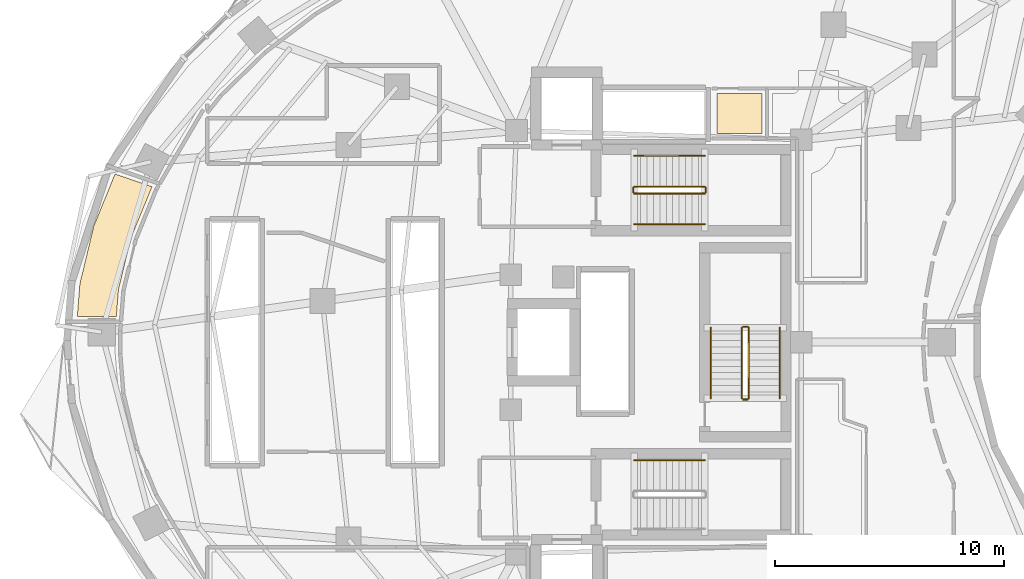
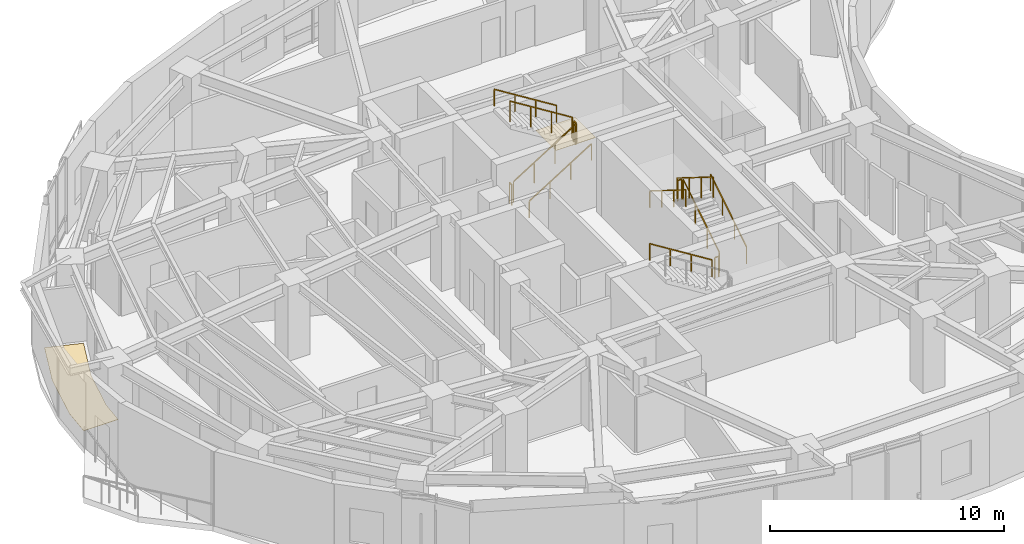
# One storey, part 12 of 13: 13 railings, 2 coverings.
"""IFC4 building model written with IfcOpenShell, lengths in metres."""

from ifc_helpers import new_model, si_unit, direction, frame, origin, origin_2d, place, context, subcontext, project, spatial, polyline, rectangle, outline, extrude, material, layer, layer_set, type_object, element, save


model = new_model("IFC4")

# Units and contexts
model_context = context("Model", 3, precision=1e-05, world=origin(), true_north=direction((0.0, 1.0)))
body_context = subcontext(model_context, "Body", "Model", "MODEL_VIEW")
ifc_project = project(units=[si_unit("LENGTHUNIT", "METRE"), si_unit("AREAUNIT", "SQUARE_METRE"), si_unit("VOLUMEUNIT", "CUBIC_METRE"), si_unit("PLANEANGLEUNIT", "RADIAN"), si_unit("MASSUNIT", "GRAM", prefix="KILO")], contexts=[model_context])

# Site, building, storey
site_placement = place(None, origin())
site = spatial("IfcSite", under=ifc_project, at=site_placement, CompositionType="ELEMENT")
building_placement = place(site_placement, origin())
building = spatial("IfcBuilding", under=site, at=building_placement, Name="Korentha Bioscience Tower", CompositionType="ELEMENT")
storey_placement = place(building_placement, frame((0.0, 0.0, 123.60009765625)))
storey = spatial("IfcBuildingStorey", under=building, at=storey_placement, Name="L28", CompositionType="ELEMENT", Elevation=123.60009765625)

# Covering
ifc_material_1 = material(Name="Vitrified Porcelain Tile", Category="ceramic")
ifc_layer_1 = layer(ifc_material_1, 0.014892578125, Name="Vitrified Porcelain Tile")
ifc_layer_set_1 = layer_set([ifc_layer_1], Name="Vitrified Porcelain Tile (FL-CER)")
covering_type_1 = type_object("IfcCoveringType", Name="Anti-Slip Ceramic Wet-Room Tile Flooring 15", PredefinedType="FLOORING", material=ifc_layer_set_1)
covering_1_placement = place(storey_placement, origin())
element("IfcCovering", 1, at=covering_1_placement, inside=storey, type_object=covering_type_1, Name="L28 Accessible Staff WC Floor Finish", PredefinedType="FLOORING", context=body_context, shape_type="SweptSolid", body=[
    extrude(outline(polyline([(33.8701171875, 36.1298828125), (33.8701171875, 37.8701171875), (35.830078125, 37.8701171875), (35.830078125, 36.1298828125), (33.8701171875, 36.1298828125)])), origin(), (0.0, 0.0, 1.0), 0.014892578125),
])

# Railings
ifc_material_2 = material(Name="Stainless Steel 304", Category="steel")
railing_type_1 = type_object("IfcRailingType", Name="Brushed Stainless Stair Handrail 900", PredefinedType="HANDRAIL", material=ifc_material_2)
railing_1_placement = place(storey_placement, frame((30.25, 32.14990234375, 0.1748046875)))
element("IfcRailing", 2, at=railing_1_placement, inside=storey, type_object=railing_type_1, Name="L28 ST-1 stair handrail 1", PredefinedType="HANDRAIL", context=body_context, shape_type="SweptSolid", body=[
    extrude(rectangle(XDim=0.048095703125, YDim=0.048095703125, at=origin_2d()), frame((0.0, 0.0, 0.8759765625), z_axis=(0.847998304005, 0.0, 0.529998940003), x_axis=(0.0, 1.0, 0.0)), (0.0, 0.0, 1.0), 3.632080078125),
    extrude(rectangle(XDim=0.0419921875, YDim=0.0419921875, at=origin_2d()), origin(), (0.0, 0.0, 1.0), 0.851806640625),
    extrude(rectangle(XDim=0.0419921875, YDim=0.0419921875, at=origin_2d()), frame((1.026611328125, 0.0, 0.6416015625)), (0.0, 0.0, 1.0), 0.851806640625),
    extrude(rectangle(XDim=0.0419921875, YDim=0.0419921875, at=origin_2d()), frame((2.053466796875, 0.0, 1.283447265625)), (0.0, 0.0, 1.0), 0.851806640625),
    extrude(rectangle(XDim=0.0419921875, YDim=0.0419921875, at=origin_2d()), frame((3.080078125, 0.0, 1.925048828125)), (0.0, 0.0, 1.0), 0.851806640625),
])
for number, where, name in (
    (3, (33.330078125, 35.14990234375, 2.27490234375), "L28 ST-1 stair handrail 2"),
    (4, (33.330078125, 21.85009765625, 2.27490234375), "L28 ST-2 stair handrail 2"),
):
    element("IfcRailing", number, at=place(storey_placement, frame(where)), inside=storey, type_object=railing_type_1, Name=name, PredefinedType="HANDRAIL", context=body_context, shape_type="SweptSolid", body=[
        extrude(rectangle(XDim=0.048095703125, YDim=0.048095703125, at=origin_2d()), frame((0.0, 0.0, 0.8759765625), z_axis=(-0.847998304005, 0.0, 0.529998940003), x_axis=(0.0, -1.0, 0.0)), (0.0, 0.0, 1.0), 3.632080078125),
        extrude(rectangle(XDim=0.0419921875, YDim=0.0419921875, at=origin_2d()), origin(), (0.0, 0.0, 1.0), 0.851806640625),
        extrude(rectangle(XDim=0.0419921875, YDim=0.0419921875, at=origin_2d()), frame((-1.026611328125, 0.0, 0.6416015625)), (0.0, 0.0, 1.0), 0.851806640625),
        extrude(rectangle(XDim=0.0419921875, YDim=0.0419921875, at=origin_2d()), frame((-2.053466796875, 0.0, 1.283447265625)), (0.0, 0.0, 1.0), 0.851806640625),
        extrude(rectangle(XDim=0.0419921875, YDim=0.0419921875, at=origin_2d()), frame((-3.080078125, 0.0, 1.925048828125)), (0.0, 0.0, 1.0), 0.851806640625),
    ])
railing_2_placement = place(storey_placement, frame((36.60009765625, 24.550048828125, 0.1748046875)))
element("IfcRailing", 5, at=railing_2_placement, inside=storey, type_object=railing_type_1, Name="L28 ST-3 stair handrail 1", PredefinedType="HANDRAIL", context=body_context, shape_type="SweptSolid", body=[
    extrude(rectangle(XDim=0.048095703125, YDim=0.048095703125, at=origin_2d()), frame((0.0, 0.0, 0.8759765625), z_axis=(0.0, 0.847979421464, 0.530029150871), x_axis=(-1.0, 0.0, 0.0)), (0.0, 0.0, 1.0), 3.632080078125),
    extrude(rectangle(XDim=0.0419921875, YDim=0.0419921875, at=origin_2d()), origin(), (0.0, 0.0, 1.0), 0.851806640625),
    extrude(rectangle(XDim=0.0419921875, YDim=0.0419921875, at=origin_2d()), frame((0.0, 1.026611328125, 0.6416015625)), (0.0, 0.0, 1.0), 0.851806640625),
    extrude(rectangle(XDim=0.0419921875, YDim=0.0419921875, at=origin_2d()), frame((0.0, 2.05322265625, 1.283447265625)), (0.0, 0.0, 1.0), 0.851806640625),
    extrude(rectangle(XDim=0.0419921875, YDim=0.0419921875, at=origin_2d()), frame((0.0, 3.079833984375, 1.925048828125)), (0.0, 0.0, 1.0), 0.851806640625),
])
railing_3_placement = place(storey_placement, frame((33.60009765625, 27.6298828125, 2.27490234375)))
element("IfcRailing", 6, at=railing_3_placement, inside=storey, type_object=railing_type_1, Name="L28 ST-3 stair handrail 2", PredefinedType="HANDRAIL", context=body_context, shape_type="SweptSolid", body=[
    extrude(rectangle(XDim=0.048095703125, YDim=0.048095703125, at=origin_2d()), frame((0.0, 0.0, 0.8759765625), z_axis=(0.0, -0.847979421464, 0.530029150871), x_axis=(1.0, 0.0, 0.0)), (0.0, 0.0, 1.0), 3.632080078125),
    extrude(rectangle(XDim=0.0419921875, YDim=0.0419921875, at=origin_2d()), origin(), (0.0, 0.0, 1.0), 0.851806640625),
    extrude(rectangle(XDim=0.0419921875, YDim=0.0419921875, at=origin_2d()), frame((0.0, -1.026611328125, 0.6416015625)), (0.0, 0.0, 1.0), 0.851806640625),
    extrude(rectangle(XDim=0.0419921875, YDim=0.0419921875, at=origin_2d()), frame((0.0, -2.05322265625, 1.283447265625)), (0.0, 0.0, 1.0), 0.851806640625),
    extrude(rectangle(XDim=0.0419921875, YDim=0.0419921875, at=origin_2d()), frame((0.0, -3.079833984375, 1.925048828125)), (0.0, 0.0, 1.0), 0.851806640625),
])
ifc_material_3 = material(Name="Painted Steel S275", Category="steel")
railing_type_2 = type_object("IfcRailingType", Name="Painted Steel Stair Well Guardrail 1100", PredefinedType="GUARDRAIL", material=ifc_material_3)
railing_4_placement = place(storey_placement, frame((30.25, 33.5, 0.1748046875)))
element("IfcRailing", 7, at=railing_4_placement, inside=storey, type_object=railing_type_2, Name="L28 ST-1 stair guard 1", PredefinedType="GUARDRAIL", context=body_context, shape_type="SweptSolid", body=[
    extrude(rectangle(XDim=0.048095703125, YDim=0.048095703125, at=origin_2d()), frame((0.0, 0.0, 1.076171875), z_axis=(0.847998304005, 0.0, 0.529998940003), x_axis=(0.0, 1.0, 0.0)), (0.0, 0.0, 1.0), 3.632080078125),
    extrude(rectangle(XDim=0.0419921875, YDim=0.0419921875, at=origin_2d()), origin(), (0.0, 0.0, 1.0), 1.052001953125),
    extrude(rectangle(XDim=0.0419921875, YDim=0.0419921875, at=origin_2d()), frame((1.026611328125, 0.0, 0.6416015625)), (0.0, 0.0, 1.0), 1.052001953125),
    extrude(rectangle(XDim=0.0419921875, YDim=0.0419921875, at=origin_2d()), frame((2.053466796875, 0.0, 1.283447265625)), (0.0, 0.0, 1.0), 1.052001953125),
    extrude(rectangle(XDim=0.0419921875, YDim=0.0419921875, at=origin_2d()), frame((3.080078125, 0.0, 1.925048828125)), (0.0, 0.0, 1.0), 1.052001953125),
])
railing_5_placement = place(storey_placement, frame((33.3798828125, 33.550048828125, 2.099853515625)))
element("IfcRailing", 8, at=railing_5_placement, inside=storey, type_object=railing_type_2, Name="L28 ST-1 stair guard 2", PredefinedType="GUARDRAIL", context=body_context, shape_type="SweptSolid", body=[
    extrude(rectangle(XDim=0.048095703125, YDim=0.048095703125, at=origin_2d()), frame((0.0, 0.0, 1.076171875), z_axis=(0.0, 1.0, 0.0), x_axis=(-1.0, 0.0, 0.0)), (0.0, 0.0, 1.0), 0.199951171875),
    extrude(rectangle(XDim=0.0419921875, YDim=0.0419921875, at=origin_2d()), origin(), (0.0, 0.0, 1.0), 1.052001953125),
    extrude(rectangle(XDim=0.0419921875, YDim=0.0419921875, at=origin_2d()), frame((0.0, 0.199951171875, 0.0)), (0.0, 0.0, 1.0), 1.052001953125),
])
railing_6_placement = place(storey_placement, frame((33.330078125, 33.800048828125, 2.27490234375)))
element("IfcRailing", 9, at=railing_6_placement, inside=storey, type_object=railing_type_2, Name="L28 ST-1 stair guard 3", PredefinedType="GUARDRAIL", context=body_context, shape_type="SweptSolid", body=[
    extrude(rectangle(XDim=0.048095703125, YDim=0.048095703125, at=origin_2d()), frame((0.0, 0.0, 1.076171875), z_axis=(-0.847998304005, 0.0, 0.529998940003), x_axis=(0.0, -1.0, 0.0)), (0.0, 0.0, 1.0), 3.632080078125),
    extrude(rectangle(XDim=0.0419921875, YDim=0.0419921875, at=origin_2d()), origin(), (0.0, 0.0, 1.0), 1.052001953125),
    extrude(rectangle(XDim=0.0419921875, YDim=0.0419921875, at=origin_2d()), frame((-1.026611328125, 0.0, 0.6416015625)), (0.0, 0.0, 1.0), 1.052001953125),
    extrude(rectangle(XDim=0.0419921875, YDim=0.0419921875, at=origin_2d()), frame((-2.053466796875, 0.0, 1.283447265625)), (0.0, 0.0, 1.0), 1.052001953125),
    extrude(rectangle(XDim=0.0419921875, YDim=0.0419921875, at=origin_2d()), frame((-3.080078125, 0.0, 1.925048828125)), (0.0, 0.0, 1.0), 1.052001953125),
])
railing_7_placement = place(storey_placement, frame((30.199951171875, 33.550048828125, 0.0)))
element("IfcRailing", 10, at=railing_7_placement, inside=storey, type_object=railing_type_2, Name="L28 ST-1 stair guard 4", PredefinedType="GUARDRAIL", context=body_context, shape_type="SweptSolid", body=[
    extrude(rectangle(XDim=0.048095703125, YDim=0.048095703125, at=origin_2d()), frame((0.0, 0.0, 1.076171875), z_axis=(0.0, 1.0, 0.0), x_axis=(-1.0, 0.0, 0.0)), (0.0, 0.0, 1.0), 0.199951171875),
    extrude(rectangle(XDim=0.0419921875, YDim=0.0419921875, at=origin_2d()), origin(), (0.0, 0.0, 1.0), 1.052001953125),
    extrude(rectangle(XDim=0.0419921875, YDim=0.0419921875, at=origin_2d()), frame((0.0, 0.199951171875, 0.0)), (0.0, 0.0, 1.0), 1.052001953125),
])
railing_8_placement = place(storey_placement, frame((35.25, 24.550048828125, 0.1748046875)))
element("IfcRailing", 11, at=railing_8_placement, inside=storey, type_object=railing_type_2, Name="L28 ST-3 stair guard 1", PredefinedType="GUARDRAIL", context=body_context, shape_type="SweptSolid", body=[
    extrude(rectangle(XDim=0.048095703125, YDim=0.048095703125, at=origin_2d()), frame((0.0, 0.0, 1.076171875), z_axis=(0.0, 0.847979421464, 0.530029150871), x_axis=(-1.0, 0.0, 0.0)), (0.0, 0.0, 1.0), 3.632080078125),
    extrude(rectangle(XDim=0.0419921875, YDim=0.0419921875, at=origin_2d()), origin(), (0.0, 0.0, 1.0), 1.052001953125),
    extrude(rectangle(XDim=0.0419921875, YDim=0.0419921875, at=origin_2d()), frame((0.0, 1.026611328125, 0.6416015625)), (0.0, 0.0, 1.0), 1.052001953125),
    extrude(rectangle(XDim=0.0419921875, YDim=0.0419921875, at=origin_2d()), frame((0.0, 2.05322265625, 1.283447265625)), (0.0, 0.0, 1.0), 1.052001953125),
    extrude(rectangle(XDim=0.0419921875, YDim=0.0419921875, at=origin_2d()), frame((0.0, 3.079833984375, 1.925048828125)), (0.0, 0.0, 1.0), 1.052001953125),
])
railing_9_placement = place(storey_placement, frame((35.199951171875, 27.679931640625, 2.099853515625)))
element("IfcRailing", 12, at=railing_9_placement, inside=storey, type_object=railing_type_2, Name="L28 ST-3 stair guard 2", PredefinedType="GUARDRAIL", context=body_context, shape_type="SweptSolid", body=[
    extrude(rectangle(XDim=0.048095703125, YDim=0.048095703125, at=origin_2d()), frame((0.0, 0.0, 1.076171875), z_axis=(-1.0, 0.0, 0.0), x_axis=(0.0, -1.0, 0.0)), (0.0, 0.0, 1.0), 0.199951171875),
    extrude(rectangle(XDim=0.0419921875, YDim=0.0419921875, at=origin_2d()), origin(), (0.0, 0.0, 1.0), 1.052001953125),
    extrude(rectangle(XDim=0.0419921875, YDim=0.0419921875, at=origin_2d()), frame((-0.199951171875, 0.0, 0.0)), (0.0, 0.0, 1.0), 1.052001953125),
])
railing_10_placement = place(storey_placement, frame((34.949951171875, 27.6298828125, 2.27490234375)))
element("IfcRailing", 13, at=railing_10_placement, inside=storey, type_object=railing_type_2, Name="L28 ST-3 stair guard 3", PredefinedType="GUARDRAIL", context=body_context, shape_type="SweptSolid", body=[
    extrude(rectangle(XDim=0.048095703125, YDim=0.048095703125, at=origin_2d()), frame((0.0, 0.0, 1.076171875), z_axis=(0.0, -0.847979421464, 0.530029150871), x_axis=(1.0, 0.0, 0.0)), (0.0, 0.0, 1.0), 3.632080078125),
    extrude(rectangle(XDim=0.0419921875, YDim=0.0419921875, at=origin_2d()), origin(), (0.0, 0.0, 1.0), 1.052001953125),
    extrude(rectangle(XDim=0.0419921875, YDim=0.0419921875, at=origin_2d()), frame((0.0, -1.026611328125, 0.6416015625)), (0.0, 0.0, 1.0), 1.052001953125),
    extrude(rectangle(XDim=0.0419921875, YDim=0.0419921875, at=origin_2d()), frame((0.0, -2.05322265625, 1.283447265625)), (0.0, 0.0, 1.0), 1.052001953125),
    extrude(rectangle(XDim=0.0419921875, YDim=0.0419921875, at=origin_2d()), frame((0.0, -3.079833984375, 1.925048828125)), (0.0, 0.0, 1.0), 1.052001953125),
])
railing_11_placement = place(storey_placement, frame((35.199951171875, 24.5, 0.0)))
element("IfcRailing", 14, at=railing_11_placement, inside=storey, type_object=railing_type_2, Name="L28 ST-3 stair guard 4", PredefinedType="GUARDRAIL", context=body_context, shape_type="SweptSolid", body=[
    extrude(rectangle(XDim=0.048095703125, YDim=0.048095703125, at=origin_2d()), frame((0.0, 0.0, 1.076171875), z_axis=(-1.0, 0.0, 0.0), x_axis=(0.0, -1.0, 0.0)), (0.0, 0.0, 1.0), 0.199951171875),
    extrude(rectangle(XDim=0.0419921875, YDim=0.0419921875, at=origin_2d()), origin(), (0.0, 0.0, 1.0), 1.052001953125),
    extrude(rectangle(XDim=0.0419921875, YDim=0.0419921875, at=origin_2d()), frame((-0.199951171875, 0.0, 0.0)), (0.0, 0.0, 1.0), 1.052001953125),
])

# Covering
ifc_material_4 = material(Name="Chemical-Resistant Epoxy Resin", Category="polymer")
ifc_layer_2 = layer(ifc_material_4, 0.011962890625, Name="Chemical-Resistant Epoxy Resin")
ifc_layer_set_2 = layer_set([ifc_layer_2], Name="Chemical-Resistant Epoxy Resin (FL-EPX)")
covering_type_2 = type_object("IfcCoveringType", Name="Seamless Epoxy Laboratory Flooring 12", PredefinedType="FLOORING", material=ifc_layer_set_2)
covering_2_placement = place(storey_placement, origin())
element("IfcCovering", 15, at=covering_2_placement, inside=storey, type_object=covering_type_2, Name="L28 Engineered Bio-Foundry Wet Lab 10 Floor Finish", PredefinedType="FLOORING", context=body_context, shape_type="SweptSolid", body=[
    extrude(outline(polyline([(7.564697265625, 34.348876953125), (9.1796875, 33.792724609375), (8.25390625, 31.537841796875), (7.714599609375, 29.293212890625), (7.62060546875, 28.1279296875), (5.9150390625, 28.1279296875), (6.028076171875, 29.55224609375), (6.63330078125, 32.070068359375), (7.564697265625, 34.348876953125)])), origin(), (0.0, 0.0, 1.0), 0.011962890625),
])

save(model, "model.ifc")
